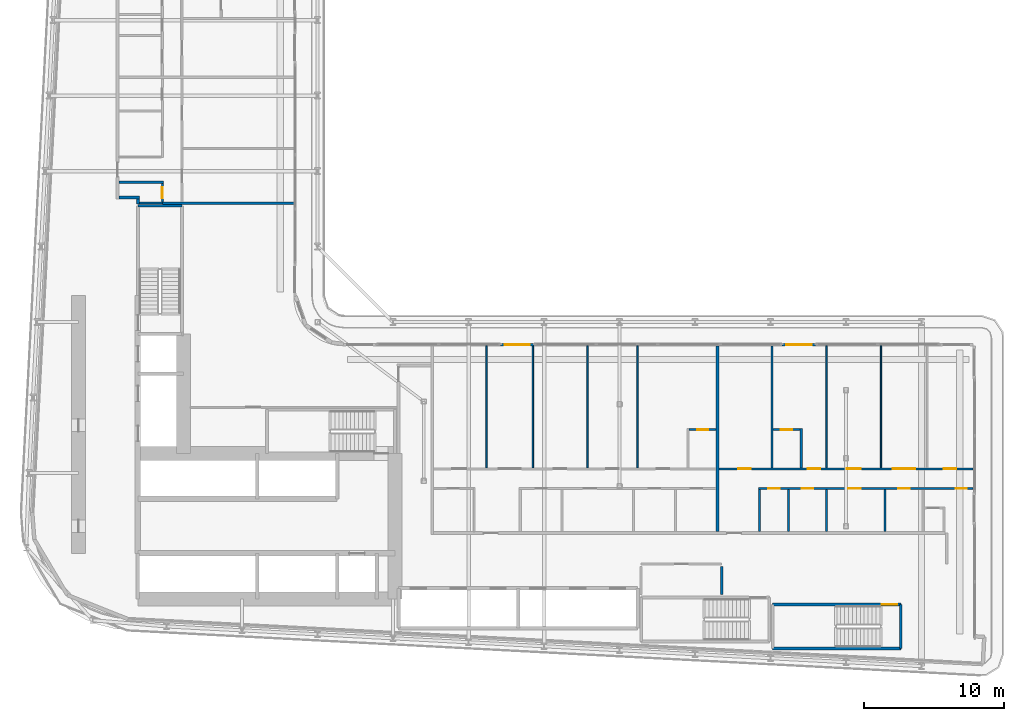
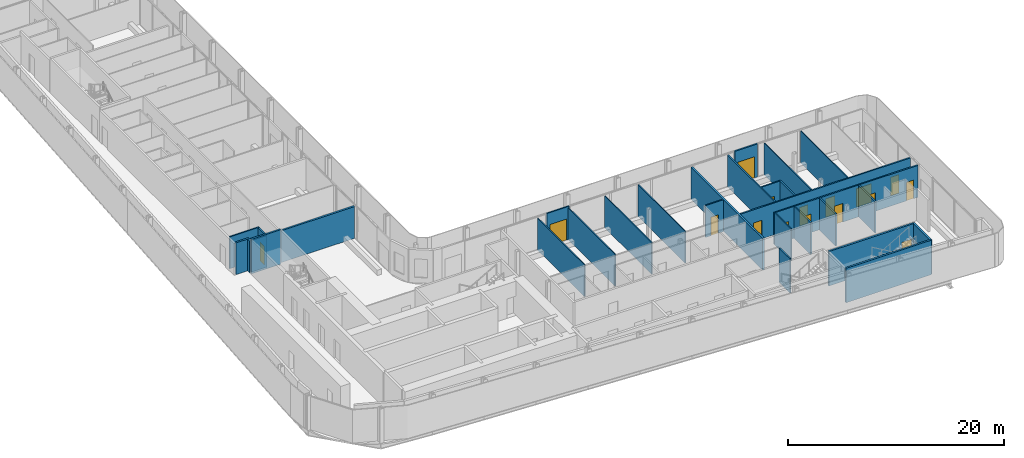
# One storey, part 15 of 27: 30 walls, 16 doors, 16 openings.
"""IFC4 building model written with IfcOpenShell, lengths in metres."""

import ifcopenshell
import ifcopenshell.guid

model = None  # the IFC model being written
_history = None  # IfcOwnerHistory: only IFC2X3 demands one
_inside = {}  # id of a spatial element -> (the spatial element, [elements in it])
_under = {}  # id of a project, library or spatial element -> (it, [spatial elements below it])
_declared = {}  # id of a project -> (the project, [libraries it declares])
_typed = {}  # id of a type object -> (the type object, [elements of that type])
_made_of = {}  # id of a material, layer set ... -> (it, [elements and type objects made of it])


def new_model(schema):
    """Start an empty IFC model of exactly this schema.

    Asked for "IFC4X3", IfcOpenShell would pick the latest addendum, in which some entities
    have other attributes; the version numbers below select the first issue.
    IFC2X3 requires an IfcOwnerHistory on every rooted entity: one is made here for all.
    """
    global model, _history
    if schema == "IFC4X3":
        model = ifcopenshell.file(schema_version=(4, 3, 0, 0))
    else:
        model = ifcopenshell.file(schema=schema)
    _inside.clear()
    _under.clear()
    _declared.clear()
    _typed.clear()
    _made_of.clear()
    _history = None
    if model.schema == "IFC2X3":
        org = make("IfcOrganization", Name="unknown")
        user = make(
            "IfcPersonAndOrganization",
            ThePerson=make("IfcPerson", FamilyName="unknown"),
            TheOrganization=org,
        )
        app = make(
            "IfcApplication",
            ApplicationDeveloper=org,
            Version="unknown",
            ApplicationFullName="unknown",
            ApplicationIdentifier="unknown",
        )
        _history = make(
            "IfcOwnerHistory",
            OwningUser=user,
            OwningApplication=app,
            ChangeAction="ADDED",
            CreationDate=0,
        )
    return model


def make(cls, **values):
    """One entity of the class cls with the attributes given. An attribute that is None is left unset."""
    return model.create_entity(
        cls, **{name: value for name, value in values.items() if value is not None}
    )


def rooted(cls, **values):
    """An entity with a GlobalId (a new one), such as an element, a storey or a relation."""
    return make(cls, GlobalId=ifcopenshell.guid.new(), OwnerHistory=_history, **values)


def si_unit(unit_type, name, prefix=None):
    """IfcSIUnit, for example si_unit("LENGTHUNIT", "METRE", prefix="MILLI")."""
    return make("IfcSIUnit", UnitType=unit_type, Prefix=prefix, Name=name)


def assignment(units):
    """IfcUnitAssignment: the units of a project."""
    return None if units is None else make("IfcUnitAssignment", Units=units)


def point(xyz):
    """IfcCartesianPoint."""
    return None if xyz is None else make("IfcCartesianPoint", Coordinates=xyz)


def direction(xyz):
    """IfcDirection."""
    return None if xyz is None else make("IfcDirection", DirectionRatios=xyz)


def frame(location, z_axis=None, x_axis=None):
    """IfcAxis2Placement3D, a coordinate frame: its origin and axes. An axis left out is left unset."""
    return make(
        "IfcAxis2Placement3D",
        Location=point(location),
        Axis=direction(z_axis),
        RefDirection=direction(x_axis),
    )


def frame_2d(location, x_axis=None):
    """IfcAxis2Placement2D, a coordinate frame in the plane: its origin and x axis."""
    return make(
        "IfcAxis2Placement2D", Location=point(location), RefDirection=direction(x_axis)
    )


def origin():
    """The frame at (0, 0, 0) with its axes left unset."""
    return frame((0.0, 0.0, 0.0))


def place(relative_to, where):
    """IfcLocalPlacement: puts the frame where relative to a parent placement (None: the world)."""
    return make(
        "IfcLocalPlacement", PlacementRelTo=relative_to, RelativePlacement=where
    )


def context(
    kind, dimensions, precision=None, world=None, true_north=None, identifier=None
):
    """IfcGeometricRepresentationContext, for example the 3D "Model" context."""
    return make(
        "IfcGeometricRepresentationContext",
        ContextIdentifier=identifier,
        ContextType=kind,
        CoordinateSpaceDimension=dimensions,
        Precision=precision,
        WorldCoordinateSystem=world,
        TrueNorth=true_north,
    )


def subcontext(parent, identifier, kind, view, scale=None):
    """IfcGeometricRepresentationSubContext, for example "Body" below "Model"."""
    return make(
        "IfcGeometricRepresentationSubContext",
        ContextIdentifier=identifier,
        ContextType=kind,
        ParentContext=parent,
        TargetScale=scale,
        TargetView=view,
    )


def project(units=None, contexts=None):
    """IfcProject with its units and contexts."""
    return rooted(
        "IfcProject",
        Name="project",
        RepresentationContexts=contexts,
        UnitsInContext=assignment(units),
    )


def spatial(cls, under=None, at=None, **own):
    """A site, building, storey or space (cls), placed at a placement, below another one or the project."""
    s = rooted(cls, ObjectPlacement=at, **own)
    if under is not None:
        _under.setdefault(under.id(), (under, []))[1].append(s)
    return s


def profile(cls, at=None, kind="AREA", **sizes):
    """A parametric profile (cls). Its sizes go by their IFC names, for example OverallWidth=200.0."""
    return make(cls, ProfileType=kind, Position=at, **sizes)


def rectangle(**sizes):
    """IfcRectangleProfileDef."""
    return profile("IfcRectangleProfileDef", **sizes)


def extrude(swept, where, along, depth):
    """IfcExtrudedAreaSolid: the profile swept, set in the frame where, extruded along a direction by depth."""
    return make(
        "IfcExtrudedAreaSolid",
        SweptArea=swept,
        Position=where,
        ExtrudedDirection=direction(along),
        Depth=depth,
    )


def shape(context_of_items, identifier, shape_type, items):
    """IfcShapeRepresentation: the items that make up one representation, for example the "Body"."""
    return make(
        "IfcShapeRepresentation",
        ContextOfItems=context_of_items,
        RepresentationIdentifier=identifier,
        RepresentationType=shape_type,
        Items=items,
    )


def source(mapping_origin, context_of_items, identifier, shape_type, items):
    """IfcRepresentationMap: a shape defined once, which mapped items show again and again."""
    return make(
        "IfcRepresentationMap",
        MappingOrigin=mapping_origin,
        MappedRepresentation=shape(context_of_items, identifier, shape_type, items),
    )


def transform(
    local_origin,
    x_axis=None,
    y_axis=None,
    z_axis=None,
    scale=None,
    scale2=None,
    scale3=None,
    uniform=True,
):
    """IfcCartesianTransformationOperator3D, or its non-uniform kind. x_axis, y_axis, z_axis: its Axis1, 2, 3."""
    if uniform:
        return make(
            "IfcCartesianTransformationOperator3D",
            Axis1=direction(x_axis),
            Axis2=direction(y_axis),
            LocalOrigin=point(local_origin),
            Scale=scale,
            Axis3=direction(z_axis),
        )
    return make(
        "IfcCartesianTransformationOperator3DnonUniform",
        Axis1=direction(x_axis),
        Axis2=direction(y_axis),
        LocalOrigin=point(local_origin),
        Scale=scale,
        Axis3=direction(z_axis),
        Scale2=scale2,
        Scale3=scale3,
    )


def mapped(mapping_source, mapping_target):
    """IfcMappedItem: shows the shape of a source again, moved by a transform."""
    return make(
        "IfcMappedItem", MappingSource=mapping_source, MappingTarget=mapping_target
    )


def material(Name=None, Category=None):
    """IfcMaterial."""
    return make("IfcMaterial", Name=Name, Category=Category)


def layer(
    of_material, thickness, ventilated=None, Name=None, Category=None, Priority=None
):
    """IfcMaterialLayer: one layer of a wall or slab, of a material (None: an air gap)."""
    return make(
        "IfcMaterialLayer",
        Material=of_material,
        LayerThickness=thickness,
        IsVentilated=ventilated,
        Name=Name,
        Category=Category,
        Priority=Priority,
    )


def layer_set(layers, Name=None):
    """IfcMaterialLayerSet."""
    return make("IfcMaterialLayerSet", MaterialLayers=layers, LayerSetName=Name)


def made_of(thing, what):
    """Note that an element or type object is made of a material, layer set ...; save() writes the relation."""
    if what is not None:
        _made_of.setdefault(what.id(), (what, []))[1].append(thing)
    return thing


def type_object(cls, material=None, **own):
    """A type object (cls), such as IfcWallType, which elements share."""
    return made_of(rooted(cls, **own), material)


def element(
    cls,
    number,
    at=None,
    inside=None,
    cuts=None,
    type_object=None,
    material=None,
    context=None,
    identifier="Body",
    shape_type=None,
    held_by="IfcProductDefinitionShape",
    body=None,
    shapes=None,
    **own,
):
    """One element of the class cls, such as IfcWall. Its Tag is "e" and its number.

    at: its placement. inside: the storey or other place that contains it. cuts: it is an
    opening in that element (IfcRelVoidsElement). A single representation is given by context,
    identifier, shape_type and body (its items); several are given by shapes. held_by: the class
    of the entity that holds the representations. save() writes the other relations.
    """
    e = rooted(cls, Tag="e%d" % number, ObjectPlacement=at, **own)
    if body is not None:
        shapes = [shape(context, identifier, shape_type, body)]
    if shapes is not None:
        e.Representation = make(held_by, Representations=shapes)
    if inside is not None:
        _inside.setdefault(inside.id(), (inside, []))[1].append(e)
    if cuts is not None:
        rooted(
            "IfcRelVoidsElement", RelatingBuildingElement=cuts, RelatedOpeningElement=e
        )
    if type_object is not None:
        _typed.setdefault(type_object.id(), (type_object, []))[1].append(e)
    return made_of(e, material)


def fill(opening, filler):
    """IfcRelFillsElement: the door or window that sits in an opening."""
    return rooted(
        "IfcRelFillsElement",
        RelatingOpeningElement=opening,
        RelatedBuildingElement=filler,
    )


def aggregate(whole, parts):
    """IfcRelAggregates: a whole, such as a stair, and the parts it consists of."""
    return rooted("IfcRelAggregates", RelatingObject=whole, RelatedObjects=parts)


def save(model, path):
    """Write the relations noted so far, then the file.

    IfcRelAggregates (storeys below a building ...), IfcRelContainedInSpatialStructure (elements
    in a storey), IfcRelDefinesByType, IfcRelAssociatesMaterial and IfcRelDeclares: one each for
    every whole, place, type object, material and project.
    """
    for whole, parts in _under.values():
        aggregate(whole, parts)
    for where, things in _inside.values():
        rooted(
            "IfcRelContainedInSpatialStructure",
            RelatedElements=things,
            RelatingStructure=where,
        )
    for kind, things in _typed.values():
        rooted("IfcRelDefinesByType", RelatedObjects=things, RelatingType=kind)
    for what, things in _made_of.values():
        rooted("IfcRelAssociatesMaterial", RelatedObjects=things, RelatingMaterial=what)
    for by, libraries in _declared.values():
        rooted("IfcRelDeclares", RelatingContext=by, RelatedDefinitions=libraries)
    model.write(path)


model = new_model("IFC4")

# Units and contexts
model_context = context("Model", 3, precision=1e-05, world=origin(), true_north=direction((0.0, 1.0)))
body_context = subcontext(model_context, "Body", "Model", "MODEL_VIEW")
ifc_project = project(units=[si_unit("LENGTHUNIT", "METRE"), si_unit("AREAUNIT", "SQUARE_METRE"), si_unit("VOLUMEUNIT", "CUBIC_METRE"), si_unit("PLANEANGLEUNIT", "RADIAN"), si_unit("MASSUNIT", "GRAM", prefix="KILO")], contexts=[model_context])

# Site, building, storey
site_placement = place(None, origin())
site = spatial("IfcSite", under=ifc_project, at=site_placement, CompositionType="ELEMENT")
building_placement = place(site_placement, origin())
building = spatial("IfcBuilding", under=site, at=building_placement, Name="Kheshtan School and Residences Tower", CompositionType="ELEMENT")
storey_placement = place(building_placement, frame((0.0, 0.0, 46.10009765625)))
storey = spatial("IfcBuildingStorey", under=building, at=storey_placement, Name="L10", CompositionType="ELEMENT", Elevation=46.10009765625)

# Walls
ifc_material_1 = material(Name="Gypsum board on steel studs with fire boards", Category="steel")
ifc_layer_1 = layer(ifc_material_1, 0.199951171875)
ifc_layer_set_1 = layer_set([ifc_layer_1], Name="Corridor wall 200")
wall_type_1 = type_object("IfcWallType", Name="Corridor wall 200", PredefinedType="PARTITIONING", material=ifc_layer_set_1)
wall_1_placement = place(storey_placement, frame((33.39990234375, 54.5, 0.0), z_axis=(0.0, 0.0, 1.0), x_axis=(1.0, 0.0, 0.0)))
element("IfcWall", 1, at=wall_1_placement, inside=storey, type_object=wall_type_1, Name="Partition L10-005", PredefinedType="PARTITIONING", context=body_context, shape_type="SweptSolid", body=[
    extrude(rectangle(XDim=1.4501953125, YDim=0.199951171875, at=frame_2d((0.72509765625, 0.0))), origin(), (0.0, 0.0, 1.0), 3.599853515625),
])
wall_2_placement = place(storey_placement, frame((34.75, 54.02490234375, 0.0), z_axis=(0.0, 0.0, 1.0), x_axis=(0.0, 1.0, 0.0)))
element("IfcWall", 2, at=wall_2_placement, inside=storey, type_object=wall_type_1, Name="Partition L10-020", PredefinedType="PARTITIONING", context=body_context, shape_type="SweptSolid", body=[
    extrude(rectangle(XDim=0.375, YDim=0.199951171875, at=frame_2d((0.1875, 0.0))), origin(), (0.0, 0.0, 1.0), 3.599853515625),
])

# Wall, opening, door
ifc_material_2 = material(Name="Aluminium frame wall with insulated infill", Category="aluminium")
ifc_layer_2 = layer(ifc_material_2, 0.14990234375)
ifc_layer_set_2 = layer_set([ifc_layer_2], Name="Glazing frame wall 150")
wall_type_2 = type_object("IfcWallType", Name="Glazing frame wall 150", PredefinedType="SOLIDWALL", material=ifc_layer_set_2)
wall_3_placement = place(storey_placement, frame((60.697021484375, 43.97509765625, 0.0), z_axis=(0.0, 0.0, 1.0), x_axis=(1.0, 0.0, 0.0)))
wall_3 = element("IfcWall", 3, at=wall_3_placement, inside=storey, type_object=wall_type_2, Name="Balcony door wall L10 12.2", PredefinedType="SOLIDWALL", context=body_context, shape_type="SweptSolid", body=[
    extrude(rectangle(XDim=2.39990234375, YDim=0.14990234375, at=frame_2d((1.199951171875, 0.0))), origin(), (0.0, 0.0, 1.0), 3.75),
])
opening_1_placement = place(wall_3_placement, frame((0.300048828125, 0.0, 0.0)))
opening_1 = element("IfcOpeningElement", 4, at=opening_1_placement, cuts=wall_3, Name="Opening BD", PredefinedType="OPENING", context=body_context, shape_type="SweptSolid", body=[
    extrude(rectangle(XDim=1.800048828125, YDim=2.39990234375, at=frame_2d((0.89990234375, 1.199951171875))), frame((0.0, 0.0849609375, 0.0), z_axis=(0.0, -1.0, 0.0), x_axis=(1.0, 0.0, 0.0)), (0.0, 0.0, 1.0), 0.169921875),
])
ifc_material_3 = material(Name="Clear low-e glass in thermally broken aluminium frame", Category="aluminium")
door_type_1 = type_object("IfcDoorType", Name="Balcony sliding door", OperationType="SLIDING_TO_LEFT", PredefinedType="DOOR", material=ifc_material_3)
shared_shape_1 = source(origin(), body_context, "Body", "SweptSolid", [
    extrude(rectangle(XDim=1.800048828125, YDim=2.39990234375, at=frame_2d((0.89990234375, 1.199951171875))), frame((0.0, 0.02490234375, 0.0), z_axis=(0.0, -1.0, 0.0), x_axis=(1.0, 0.0, 0.0)), (0.0, 0.0, 1.0), 0.050048828125),
])
door_1_placement = place(opening_1_placement, origin())
door_1 = element("IfcDoor", 5, at=door_1_placement, inside=storey, type_object=door_type_1, Name="Balcony door L10 12.2", OperationType="SLIDING_TO_LEFT", OverallHeight=2.39990234375, OverallWidth=1.800048828125, PredefinedType="DOOR", context=body_context, shape_type="MappedRepresentation", body=[
    mapped(shared_shape_1, transform((0.0, 0.0, 0.0), x_axis=(1.0, 0.0, 0.0), y_axis=(0.0, 1.0, 0.0), z_axis=(0.0, 0.0, 1.0), scale=1.0)),
])
fill(opening_1, door_1)

wall_4_placement = place(storey_placement, frame((80.83203125, 43.97509765625, 0.0), z_axis=(0.0, 0.0, 1.0), x_axis=(1.0, 0.0, 0.0)))
wall_4 = element("IfcWall", 6, at=wall_4_placement, inside=storey, type_object=wall_type_2, Name="Balcony door wall L10 12.3", PredefinedType="SOLIDWALL", context=body_context, shape_type="SweptSolid", body=[
    extrude(rectangle(XDim=2.40087890625, YDim=0.14990234375, at=frame_2d((1.200439453125, 0.0))), origin(), (0.0, 0.0, 1.0), 3.75),
])
opening_2_placement = place(wall_4_placement, frame((0.300048828125, 0.0, 0.0)))
opening_2 = element("IfcOpeningElement", 7, at=opening_2_placement, cuts=wall_4, Name="Opening BD", PredefinedType="OPENING", context=body_context, shape_type="SweptSolid", body=[
    extrude(rectangle(XDim=1.800048828125, YDim=2.39990234375, at=frame_2d((0.89990234375, 1.199951171875))), frame((0.0, 0.0849609375, 0.0), z_axis=(0.0, -1.0, 0.0), x_axis=(1.0, 0.0, 0.0)), (0.0, 0.0, 1.0), 0.169921875),
])
door_2_placement = place(opening_2_placement, origin())
door_2 = element("IfcDoor", 8, at=door_2_placement, inside=storey, type_object=door_type_1, Name="Balcony door L10 12.3", OperationType="SLIDING_TO_LEFT", OverallHeight=2.39990234375, OverallWidth=1.800048828125, PredefinedType="DOOR", context=body_context, shape_type="MappedRepresentation", body=[
    mapped(shared_shape_1, transform((0.0, 0.0, 0.0), x_axis=(1.0, 0.0, 0.0), y_axis=(0.0, 1.0, 0.0), z_axis=(0.0, 0.0, 1.0), scale=1.0)),
])
fill(opening_2, door_2)

# Walls
ifc_material_4 = material(Name="Gypsum board on steel studs", Category="steel")
ifc_layer_3 = layer(ifc_material_4, 0.10009765625)
ifc_layer_set_3 = layer_set([ifc_layer_3], Name="Gypsum partition 100")
wall_type_3 = type_object("IfcWallType", Name="Gypsum partition 100", PredefinedType="PARTITIONING", material=ifc_layer_set_3)
for number, where, z_axis, x_axis, name in (
    (9, (59.699951171875, 35.175048828125, 0.0), (0.0, 0.0, 1.0), (0.0, 1.0, 0.0), "Partition L10-052"),
    (10, (63.0, 35.175048828125, 0.0), (0.0, 0.0, 1.0), (0.0, 1.0, 0.0), "Partition L10-055"),
    (11, (66.89990234375, 35.175048828125, 0.0), (0.0, 0.0, 1.0), (0.0, 1.0, 0.0), "Partition L10-057"),
    (12, (70.5, 35.175048828125, 0.0), (0.0, 0.0, 1.0), (0.0, 1.0, 0.0), "Partition L10-059"),
    (13, (84.0, 35.175048828125, 0.0), (0.0, 0.0, 1.0), (0.0, 1.0, 0.0), "Partition L10-072"),
    (14, (87.89990234375, 35.175048828125, 0.0), (0.0, 0.0, 1.0), (0.0, 1.0, 0.0), "Partition L10-073"),
):
    element("IfcWall", number, at=place(storey_placement, frame(where, z_axis=z_axis, x_axis=x_axis)), inside=storey, type_object=wall_type_3, Name=name, PredefinedType="PARTITIONING", context=body_context, shape_type="SweptSolid", body=[
        extrude(rectangle(XDim=8.724853515625, YDim=0.10009765625, at=frame_2d((4.3623046875, 0.0))), origin(), (0.0, 0.0, 1.0), 3.599853515625),
    ])
ifc_material_5 = material(Name="Fire-board shaft wall system")
ifc_layer_4 = layer(ifc_material_5, 0.14990234375)
ifc_layer_set_4 = layer_set([ifc_layer_4], Name="Service room wall 150")
wall_type_4 = type_object("IfcWallType", Name="Service room wall 150", PredefinedType="PARTITIONING", material=ifc_layer_set_4)
wall_5_placement = place(storey_placement, frame((76.510009765625, 26.1201171875, 0.0), z_axis=(0.0, 0.0, 1.0), x_axis=(0.0, 1.0, 0.0)))
element("IfcWall", 15, at=wall_5_placement, inside=storey, type_object=wall_type_4, Name="Service room wall", PredefinedType="PARTITIONING", context=body_context, shape_type="SweptSolid", body=[
    extrude(rectangle(XDim=1.98486328125, YDim=0.14990234375, at=frame_2d((0.992431640625, 0.0))), origin(), (0.0, 0.0, 1.0), 3.89990234375),
])
ifc_material_6 = material(Name="Concrete C40/50", Category="concrete")
ifc_layer_5 = layer(ifc_material_6, 0.199951171875)
ifc_layer_set_5 = layer_set([ifc_layer_5], Name="Stair enclosure wall 200 Concrete C40/50")
wall_type_5 = type_object("IfcWallType", Name="Stair enclosure wall 200 Concrete C40/50", PredefinedType="SHEAR", material=ifc_layer_set_5)
wall_6_placement = place(storey_placement, frame((34.75, 53.909912109375, 0.0), z_axis=(0.0, 0.0, 1.0), x_axis=(1.0, 0.0, 0.0)))
element("IfcWall", 16, at=wall_6_placement, inside=storey, type_object=wall_type_5, Name="Stair enclosure wall ST2", PredefinedType="SHEAR", context=body_context, shape_type="SweptSolid", body=[
    extrude(rectangle(XDim=3.14990234375, YDim=0.199951171875, at=frame_2d((1.574951171875, 0.0))), origin(), (0.0, 0.0, 1.0), 3.89990234375),
])
wall_7_placement = place(storey_placement, frame((80.159912109375, 22.25, 0.0), z_axis=(0.0, 0.0, 1.0), x_axis=(1.0, 0.0, 0.0)))
element("IfcWall", 17, at=wall_7_placement, inside=storey, type_object=wall_type_5, Name="Stair enclosure wall ST4", PredefinedType="SHEAR", context=body_context, shape_type="SweptSolid", body=[
    extrude(rectangle(XDim=9.16015625, YDim=0.199951171875, at=frame_2d((4.580078125, 0.0))), origin(), (0.0, 0.0, 1.0), 3.89990234375),
])

# Wall, opening, door
wall_8_placement = place(storey_placement, frame((80.159912109375, 25.39990234375, 0.0), z_axis=(0.0, 0.0, 1.0), x_axis=(1.0, 0.0, 0.0)))
wall_8 = element("IfcWall", 18, at=wall_8_placement, inside=storey, type_object=wall_type_5, Name="Stair enclosure wall ST4", PredefinedType="SHEAR", context=body_context, shape_type="SweptSolid", body=[
    extrude(rectangle(XDim=9.16015625, YDim=0.199951171875, at=frame_2d((4.580078125, 0.0))), origin(), (0.0, 0.0, 1.0), 3.89990234375),
])
opening_3_placement = place(wall_8_placement, frame((7.81005859375, 0.0, 0.0)))
opening_3 = element("IfcOpeningElement", 19, at=opening_3_placement, cuts=wall_8, Name="Opening ST4D", PredefinedType="OPENING", context=body_context, shape_type="SweptSolid", body=[
    extrude(rectangle(XDim=1.10009765625, YDim=2.199951171875, at=frame_2d((0.550048828125, 1.10009765625))), frame((0.0, 0.10986328125, 0.0), z_axis=(0.0, -1.0, 0.0), x_axis=(1.0, 0.0, 0.0)), (0.0, 0.0, 1.0), 0.219970703125),
])
ifc_material_7 = material(Name="Steel door leaf, galvanised", Category="steel")
door_type_2 = type_object("IfcDoorType", Name="Stair door 1100 steel 90 min", OperationType="SINGLE_SWING_LEFT", PredefinedType="DOOR", material=ifc_material_7)
shared_shape_2 = source(origin(), body_context, "Body", "SweptSolid", [
    extrude(rectangle(XDim=1.10009765625, YDim=2.199951171875, at=frame_2d((0.550048828125, 1.10009765625))), frame((0.0, 0.02490234375, 0.0), z_axis=(0.0, -1.0, 0.0), x_axis=(1.0, 0.0, 0.0)), (0.0, 0.0, 1.0), 0.050048828125),
])
door_3_placement = place(opening_3_placement, origin())
door_3 = element("IfcDoor", 20, at=door_3_placement, inside=storey, type_object=door_type_2, Name="Stair ST4 door", OperationType="SINGLE_SWING_LEFT", OverallHeight=2.199951171875, OverallWidth=1.10009765625, PredefinedType="DOOR", context=body_context, shape_type="MappedRepresentation", body=[
    mapped(shared_shape_2, transform((0.0, 0.0, 0.0), x_axis=(1.0, 0.0, 0.0), y_axis=(0.0, 1.0, 0.0), z_axis=(0.0, 0.0, 1.0), scale=1.0)),
])
fill(opening_3, door_3)

# Walls
wall_9_placement = place(storey_placement, frame((89.320068359375, 22.25, 0.0), z_axis=(0.0, 0.0, 1.0), x_axis=(0.0, 1.0, 0.0)))
element("IfcWall", 21, at=wall_9_placement, inside=storey, type_object=wall_type_5, Name="Stair enclosure wall ST4", PredefinedType="SHEAR", context=body_context, shape_type="SweptSolid", body=[
    extrude(rectangle(XDim=3.14990234375, YDim=0.199951171875, at=frame_2d((1.574951171875, 0.0))), origin(), (0.0, 0.0, 1.0), 3.89990234375),
])
ifc_material_8 = material(Name="Twin gypsum board on steel studs with mineral wool", Category="steel")
ifc_layer_6 = layer(ifc_material_8, 0.199951171875)
ifc_layer_set_6 = layer_set([ifc_layer_6], Name="Unit demising wall 200")
wall_type_6 = type_object("IfcWallType", Name="Unit demising wall 200", PredefinedType="PARTITIONING", material=ifc_layer_set_6)
wall_10_placement = place(storey_placement, frame((36.5, 54.10009765625, 0.0), z_axis=(0.0, 0.0, 1.0), x_axis=(1.0, 0.0, 0.0)))
element("IfcWall", 22, at=wall_10_placement, inside=storey, type_object=wall_type_6, Name="Partition L10-024", PredefinedType="PARTITIONING", context=body_context, shape_type="SweptSolid", body=[
    extrude(rectangle(XDim=9.39990234375, YDim=0.199951171875, at=frame_2d((4.699951171875, 0.0))), origin(), (0.0, 0.0, 1.0), 3.599853515625),
])
wall_11_placement = place(storey_placement, frame((76.199951171875, 30.60009765625, 0.0), z_axis=(0.0, 0.0, 1.0), x_axis=(0.0, 1.0, 0.0)))
element("IfcWall", 23, at=wall_11_placement, inside=storey, type_object=wall_type_6, Name="Partition L10-063", PredefinedType="PARTITIONING", context=body_context, shape_type="SweptSolid", body=[
    extrude(rectangle(XDim=13.2998046875, YDim=0.199951171875, at=frame_2d((6.64990234375, 0.0))), origin(), (0.0, 0.0, 1.0), 3.599853515625),
])
ifc_material_9 = material(Name="Moisture-resistant gypsum board on steel studs", Category="steel")
ifc_layer_7 = layer(ifc_material_9, 0.14990234375)
ifc_layer_set_7 = layer_set([ifc_layer_7], Name="Wet-room partition 150")
wall_type_7 = type_object("IfcWallType", Name="Wet-room partition 150", PredefinedType="PARTITIONING", material=ifc_layer_set_7)
wall_12_placement = place(storey_placement, frame((33.39990234375, 55.60009765625, 0.0), z_axis=(0.0, 0.0, 1.0), x_axis=(1.0, 0.0, 0.0)))
element("IfcWall", 24, at=wall_12_placement, inside=storey, type_object=wall_type_7, Name="Partition L10-006", PredefinedType="PARTITIONING", context=body_context, shape_type="SweptSolid", body=[
    extrude(rectangle(XDim=3.175048828125, YDim=0.14990234375, at=frame_2d((1.58740234375, 0.0))), origin(), (0.0, 0.0, 1.0), 3.599853515625),
])
wall_13_placement = place(storey_placement, frame((34.85009765625, 54.10009765625, 0.0), z_axis=(0.0, 0.0, 1.0), x_axis=(1.0, 0.0, 0.0)))
element("IfcWall", 25, at=wall_13_placement, inside=storey, type_object=wall_type_7, Name="Partition L10-021", PredefinedType="PARTITIONING", context=body_context, shape_type="SweptSolid", body=[
    extrude(rectangle(XDim=1.64990234375, YDim=0.14990234375, at=frame_2d((0.824951171875, 0.0))), origin(), (0.0, 0.0, 1.0), 3.599853515625),
])

# Wall, opening, door
wall_14_placement = place(storey_placement, frame((36.5, 54.199951171875, 0.0), z_axis=(0.0, 0.0, 1.0), x_axis=(0.0, 1.0, 0.0)))
wall_14 = element("IfcWall", 26, at=wall_14_placement, inside=storey, type_object=wall_type_7, Name="Partition L10-025", PredefinedType="PARTITIONING", context=body_context, shape_type="SweptSolid", body=[
    extrude(rectangle(XDim=1.324951171875, YDim=0.14990234375, at=frame_2d((0.66259765625, 0.0))), origin(), (0.0, 0.0, 1.0), 3.599853515625),
])
opening_4_placement = place(wall_14_placement, frame((0.25, 0.0, 0.0)))
opening_4 = element("IfcOpeningElement", 27, at=opening_4_placement, cuts=wall_14, Name="Opening D10-031", PredefinedType="OPENING", context=body_context, shape_type="SweptSolid", body=[
    extrude(rectangle(XDim=0.800048828125, YDim=2.10009765625, at=frame_2d((0.39990234375, 1.050048828125))), frame((0.0, 0.0849609375, 0.0), z_axis=(0.0, -1.0, 0.0), x_axis=(1.0, 0.0, 0.0)), (0.0, 0.0, 1.0), 0.169921875),
])
ifc_material_10 = material(Name="Veneered timber door leaf", Category="wood")
door_type_3 = type_object("IfcDoorType", Name="Door 800 x 2100", OperationType="SINGLE_SWING_LEFT", PredefinedType="DOOR", material=ifc_material_10)
shared_shape_3 = source(origin(), body_context, "Body", "SweptSolid", [
    extrude(rectangle(XDim=0.800048828125, YDim=2.10009765625, at=frame_2d((0.39990234375, 1.050048828125))), frame((0.0, 0.02490234375, 0.0), z_axis=(0.0, -1.0, 0.0), x_axis=(1.0, 0.0, 0.0)), (0.0, 0.0, 1.0), 0.050048828125),
])
door_4_placement = place(opening_4_placement, origin())
door_4 = element("IfcDoor", 28, at=door_4_placement, inside=storey, type_object=door_type_3, Name="Door D10-031", OperationType="SINGLE_SWING_RIGHT", OverallHeight=2.10009765625, OverallWidth=0.800048828125, PredefinedType="DOOR", context=body_context, shape_type="MappedRepresentation", body=[
    mapped(shared_shape_3, transform((0.0, 0.0, 0.0), x_axis=(1.0, 0.0, 0.0), y_axis=(0.0, 1.0, 0.0), z_axis=(0.0, 0.0, 1.0), scale=1.0)),
])
fill(opening_4, door_4)

wall_15_placement = place(storey_placement, frame((74.175048828125, 37.89990234375, 0.0), z_axis=(0.0, 0.0, 1.0), x_axis=(1.0, 0.0, 0.0)))
wall_15 = element("IfcWall", 29, at=wall_15_placement, inside=storey, type_object=wall_type_7, Name="Partition L10-062", PredefinedType="PARTITIONING", context=body_context, shape_type="SweptSolid", body=[
    extrude(rectangle(XDim=1.925048828125, YDim=0.14990234375, at=frame_2d((0.96240234375, 0.0))), origin(), (0.0, 0.0, 1.0), 3.599853515625),
])
opening_5_placement = place(wall_15_placement, frame((0.574951171875, 0.0, 0.0)))
opening_5 = element("IfcOpeningElement", 30, at=opening_5_placement, cuts=wall_15, Name="Opening D10-006", PredefinedType="OPENING", context=body_context, shape_type="SweptSolid", body=[
    extrude(rectangle(XDim=0.800048828125, YDim=2.10009765625, at=frame_2d((0.39990234375, 1.050048828125))), frame((0.0, 0.0849609375, 0.0), z_axis=(0.0, -1.0, 0.0), x_axis=(1.0, 0.0, 0.0)), (0.0, 0.0, 1.0), 0.169921875),
])
door_5_placement = place(opening_5_placement, origin())
door_5 = element("IfcDoor", 31, at=door_5_placement, inside=storey, type_object=door_type_3, Name="Door D10-006", OperationType="SINGLE_SWING_LEFT", OverallHeight=2.10009765625, OverallWidth=0.800048828125, PredefinedType="DOOR", context=body_context, shape_type="MappedRepresentation", body=[
    mapped(shared_shape_3, transform((0.0, 0.0, 0.0), x_axis=(1.0, 0.0, 0.0), y_axis=(0.0, 1.0, 0.0), z_axis=(0.0, 0.0, 1.0), scale=1.0)),
])
fill(opening_5, door_5)

# Wall, openings, doors
wall_16_placement = place(storey_placement, frame((76.300048828125, 35.10009765625, 0.0), z_axis=(0.0, 0.0, 1.0), x_axis=(1.0, 0.0, 0.0)))
wall_16 = element("IfcWall", 32, at=wall_16_placement, inside=storey, type_object=wall_type_7, Name="Partition L10-064", PredefinedType="PARTITIONING", context=body_context, shape_type="SweptSolid", body=[
    extrude(rectangle(XDim=18.199951171875, YDim=0.14990234375, at=frame_2d((9.10009765625, 0.0))), origin(), (0.0, 0.0, 1.0), 3.599853515625),
])
opening_6_placement = place(wall_16_placement, frame((1.39990234375, 0.0, 0.0)))
opening_6 = element("IfcOpeningElement", 33, at=opening_6_placement, cuts=wall_16, Name="Opening D10-015", PredefinedType="OPENING", context=body_context, shape_type="SweptSolid", body=[
    extrude(rectangle(XDim=0.89990234375, YDim=2.10009765625, at=frame_2d((0.449951171875, 1.050048828125))), frame((0.0, 0.0849609375, 0.0), z_axis=(0.0, -1.0, 0.0), x_axis=(1.0, 0.0, 0.0)), (0.0, 0.0, 1.0), 0.169921875),
])
opening_7_placement = place(wall_16_placement, frame((16.10009765625, 0.0, 0.0)))
opening_7 = element("IfcOpeningElement", 34, at=opening_7_placement, cuts=wall_16, Name="Opening D10-016", PredefinedType="OPENING", context=body_context, shape_type="SweptSolid", body=[
    extrude(rectangle(XDim=0.89990234375, YDim=2.10009765625, at=frame_2d((0.449951171875, 1.050048828125))), frame((0.0, 0.0849609375, 0.0), z_axis=(0.0, -1.0, 0.0), x_axis=(1.0, 0.0, 0.0)), (0.0, 0.0, 1.0), 0.169921875),
])
opening_8_placement = place(wall_16_placement, frame((9.14990234375, 0.0, 0.0)))
opening_8 = element("IfcOpeningElement", 35, at=opening_8_placement, cuts=wall_16, Name="Opening D10-020", PredefinedType="OPENING", context=body_context, shape_type="SweptSolid", body=[
    extrude(rectangle(XDim=1.0, YDim=2.10009765625, at=frame_2d((0.5, 1.050048828125))), frame((0.0, 0.0849609375, 0.0), z_axis=(0.0, -1.0, 0.0), x_axis=(1.0, 0.0, 0.0)), (0.0, 0.0, 1.0), 0.169921875),
])
opening_9_placement = place(wall_16_placement, frame((12.449951171875, 0.0, 0.0)))
opening_9 = element("IfcOpeningElement", 36, at=opening_9_placement, cuts=wall_16, Name="Opening D10-023", PredefinedType="OPENING", context=body_context, shape_type="SweptSolid", body=[
    extrude(rectangle(XDim=1.60009765625, YDim=2.10009765625, at=frame_2d((0.800048828125, 1.050048828125))), frame((0.0, 0.0849609375, 0.0), z_axis=(0.0, -1.0, 0.0), x_axis=(1.0, 0.0, 0.0)), (0.0, 0.0, 1.0), 0.169921875),
])
opening_10_placement = place(wall_16_placement, frame((6.35009765625, 0.0, 0.0)))
opening_10 = element("IfcOpeningElement", 37, at=opening_10_placement, cuts=wall_16, Name="Opening D10-024", PredefinedType="OPENING", context=body_context, shape_type="SweptSolid", body=[
    extrude(rectangle(XDim=0.89990234375, YDim=2.10009765625, at=frame_2d((0.449951171875, 1.050048828125))), frame((0.0, 0.0849609375, 0.0), z_axis=(0.0, -1.0, 0.0), x_axis=(1.0, 0.0, 0.0)), (0.0, 0.0, 1.0), 0.169921875),
])
door_type_4 = type_object("IfcDoorType", Name="Door 1000 x 2100", OperationType="SINGLE_SWING_LEFT", PredefinedType="DOOR", material=ifc_material_10)
shared_shape_4 = source(origin(), body_context, "Body", "SweptSolid", [
    extrude(rectangle(XDim=1.0, YDim=2.10009765625, at=frame_2d((0.5, 1.050048828125))), frame((0.0, 0.02490234375, 0.0), z_axis=(0.0, -1.0, 0.0), x_axis=(1.0, 0.0, 0.0)), (0.0, 0.0, 1.0), 0.050048828125),
])
door_6_placement = place(opening_8_placement, origin())
door_6 = element("IfcDoor", 38, at=door_6_placement, inside=storey, type_object=door_type_4, Name="Door D10-020", OperationType="SINGLE_SWING_LEFT", OverallHeight=2.10009765625, OverallWidth=1.0, PredefinedType="DOOR", context=body_context, shape_type="MappedRepresentation", body=[
    mapped(shared_shape_4, transform((0.0, 0.0, 0.0), x_axis=(1.0, 0.0, 0.0), y_axis=(0.0, 1.0, 0.0), z_axis=(0.0, 0.0, 1.0), scale=1.0)),
])
fill(opening_8, door_6)
door_type_5 = type_object("IfcDoorType", Name="Door 900 x 2100", OperationType="SINGLE_SWING_LEFT", PredefinedType="DOOR", material=ifc_material_10)
shared_shape_5 = source(origin(), body_context, "Body", "SweptSolid", [
    extrude(rectangle(XDim=0.89990234375, YDim=2.10009765625, at=frame_2d((0.449951171875, 1.050048828125))), frame((0.0, 0.02490234375, 0.0), z_axis=(0.0, -1.0, 0.0), x_axis=(1.0, 0.0, 0.0)), (0.0, 0.0, 1.0), 0.050048828125),
])
door_7_placement = place(opening_6_placement, origin())
door_7 = element("IfcDoor", 39, at=door_7_placement, inside=storey, type_object=door_type_5, Name="Door D10-015", OperationType="SINGLE_SWING_RIGHT", OverallHeight=2.10009765625, OverallWidth=0.89990234375, PredefinedType="DOOR", context=body_context, shape_type="MappedRepresentation", body=[
    mapped(shared_shape_5, transform((0.0, 0.0, 0.0), x_axis=(1.0, 0.0, 0.0), y_axis=(0.0, 1.0, 0.0), z_axis=(0.0, 0.0, 1.0), scale=1.0)),
])
fill(opening_6, door_7)
door_8_placement = place(opening_7_placement, origin())
door_8 = element("IfcDoor", 40, at=door_8_placement, inside=storey, type_object=door_type_5, Name="Door D10-016", OperationType="SINGLE_SWING_LEFT", OverallHeight=2.10009765625, OverallWidth=0.89990234375, PredefinedType="DOOR", context=body_context, shape_type="MappedRepresentation", body=[
    mapped(shared_shape_5, transform((0.0, 0.0, 0.0), x_axis=(1.0, 0.0, 0.0), y_axis=(0.0, 1.0, 0.0), z_axis=(0.0, 0.0, 1.0), scale=1.0)),
])
fill(opening_7, door_8)
door_9_placement = place(opening_10_placement, origin())
door_9 = element("IfcDoor", 41, at=door_9_placement, inside=storey, type_object=door_type_5, Name="Door D10-024", OperationType="SINGLE_SWING_RIGHT", OverallHeight=2.10009765625, OverallWidth=0.89990234375, PredefinedType="DOOR", context=body_context, shape_type="MappedRepresentation", body=[
    mapped(shared_shape_5, transform((0.0, 0.0, 0.0), x_axis=(1.0, 0.0, 0.0), y_axis=(0.0, 1.0, 0.0), z_axis=(0.0, 0.0, 1.0), scale=1.0)),
])
fill(opening_10, door_9)
door_type_6 = type_object("IfcDoorType", Name="Double door 1600 x 2100", OperationType="DOUBLE_DOOR_SINGLE_SWING", PredefinedType="DOOR", material=ifc_material_10)
shared_shape_6 = source(origin(), body_context, "Body", "SweptSolid", [
    extrude(rectangle(XDim=1.60009765625, YDim=2.10009765625, at=frame_2d((0.800048828125, 1.050048828125))), frame((0.0, 0.02490234375, 0.0), z_axis=(0.0, -1.0, 0.0), x_axis=(1.0, 0.0, 0.0)), (0.0, 0.0, 1.0), 0.050048828125),
])
door_10_placement = place(opening_9_placement, origin())
door_10 = element("IfcDoor", 42, at=door_10_placement, inside=storey, type_object=door_type_6, Name="Door D10-023", OperationType="DOUBLE_DOOR_SINGLE_SWING", OverallHeight=2.10009765625, OverallWidth=1.60009765625, PredefinedType="DOOR", context=body_context, shape_type="MappedRepresentation", body=[
    mapped(shared_shape_6, transform((0.0, 0.0, 0.0), x_axis=(1.0, 0.0, 0.0), y_axis=(0.0, 1.0, 0.0), z_axis=(0.0, 0.0, 1.0), scale=1.0)),
])
fill(opening_9, door_10)

wall_17_placement = place(storey_placement, frame((79.125, 33.699951171875, 0.0), z_axis=(0.0, 0.0, 1.0), x_axis=(1.0, 0.0, 0.0)))
wall_17 = element("IfcWall", 43, at=wall_17_placement, inside=storey, type_object=wall_type_7, Name="Partition L10-065", PredefinedType="PARTITIONING", context=body_context, shape_type="SweptSolid", body=[
    extrude(rectangle(XDim=15.375, YDim=0.14990234375, at=frame_2d((7.6875, 0.0))), origin(), (0.0, 0.0, 1.0), 3.599853515625),
])
opening_11_placement = place(wall_17_placement, frame((3.125, 0.0, 0.0)))
opening_11 = element("IfcOpeningElement", 44, at=opening_11_placement, cuts=wall_17, Name="Opening D10-013", PredefinedType="OPENING", context=body_context, shape_type="SweptSolid", body=[
    extrude(rectangle(XDim=0.800048828125, YDim=2.10009765625, at=frame_2d((0.39990234375, 1.050048828125))), frame((0.0, 0.0849609375, 0.0), z_axis=(0.0, -1.0, 0.0), x_axis=(1.0, 0.0, 0.0)), (0.0, 0.0, 1.0), 0.169921875),
])
opening_12_placement = place(wall_17_placement, frame((10.02490234375, 0.0, 0.0)))
opening_12 = element("IfcOpeningElement", 45, at=opening_12_placement, cuts=wall_17, Name="Opening D10-014", PredefinedType="OPENING", context=body_context, shape_type="SweptSolid", body=[
    extrude(rectangle(XDim=0.800048828125, YDim=2.10009765625, at=frame_2d((0.39990234375, 1.050048828125))), frame((0.0, 0.0849609375, 0.0), z_axis=(0.0, -1.0, 0.0), x_axis=(1.0, 0.0, 0.0)), (0.0, 0.0, 1.0), 0.169921875),
])
opening_13_placement = place(wall_17_placement, frame((6.425048828125, 0.0, 0.0)))
opening_13 = element("IfcOpeningElement", 46, at=opening_13_placement, cuts=wall_17, Name="Opening D10-019", PredefinedType="OPENING", context=body_context, shape_type="SweptSolid", body=[
    extrude(rectangle(XDim=0.89990234375, YDim=2.10009765625, at=frame_2d((0.449951171875, 1.050048828125))), frame((0.0, 0.0849609375, 0.0), z_axis=(0.0, -1.0, 0.0), x_axis=(1.0, 0.0, 0.0)), (0.0, 0.0, 1.0), 0.169921875),
])
opening_14_placement = place(wall_17_placement, frame((14.125, 0.0, 0.0)))
opening_14 = element("IfcOpeningElement", 47, at=opening_14_placement, cuts=wall_17, Name="Opening D10-021", PredefinedType="OPENING", context=body_context, shape_type="SweptSolid", body=[
    extrude(rectangle(XDim=0.800048828125, YDim=2.10009765625, at=frame_2d((0.39990234375, 1.050048828125))), frame((0.0, 0.0849609375, 0.0), z_axis=(0.0, -1.0, 0.0), x_axis=(1.0, 0.0, 0.0)), (0.0, 0.0, 1.0), 0.169921875),
])
opening_15_placement = place(wall_17_placement, frame((0.72509765625, 0.0, 0.0)))
opening_15 = element("IfcOpeningElement", 48, at=opening_15_placement, cuts=wall_17, Name="Opening D10-025", PredefinedType="OPENING", context=body_context, shape_type="SweptSolid", body=[
    extrude(rectangle(XDim=0.800048828125, YDim=2.10009765625, at=frame_2d((0.39990234375, 1.050048828125))), frame((0.0, 0.0849609375, 0.0), z_axis=(0.0, -1.0, 0.0), x_axis=(1.0, 0.0, 0.0)), (0.0, 0.0, 1.0), 0.169921875),
])
door_11_placement = place(opening_11_placement, origin())
door_11 = element("IfcDoor", 49, at=door_11_placement, inside=storey, type_object=door_type_3, Name="Door D10-013", OperationType="SINGLE_SWING_RIGHT", OverallHeight=2.10009765625, OverallWidth=0.800048828125, PredefinedType="DOOR", context=body_context, shape_type="MappedRepresentation", body=[
    mapped(shared_shape_3, transform((0.0, 0.0, 0.0), x_axis=(1.0, 0.0, 0.0), y_axis=(0.0, 1.0, 0.0), z_axis=(0.0, 0.0, 1.0), scale=1.0)),
])
fill(opening_11, door_11)
door_12_placement = place(opening_12_placement, origin())
door_12 = element("IfcDoor", 50, at=door_12_placement, inside=storey, type_object=door_type_3, Name="Door D10-014", OperationType="SINGLE_SWING_LEFT", OverallHeight=2.10009765625, OverallWidth=0.800048828125, PredefinedType="DOOR", context=body_context, shape_type="MappedRepresentation", body=[
    mapped(shared_shape_3, transform((0.0, 0.0, 0.0), x_axis=(1.0, 0.0, 0.0), y_axis=(0.0, 1.0, 0.0), z_axis=(0.0, 0.0, 1.0), scale=1.0)),
])
fill(opening_12, door_12)
door_13_placement = place(opening_14_placement, origin())
door_13 = element("IfcDoor", 51, at=door_13_placement, inside=storey, type_object=door_type_3, Name="Door D10-021", OperationType="SINGLE_SWING_RIGHT", OverallHeight=2.10009765625, OverallWidth=0.800048828125, PredefinedType="DOOR", context=body_context, shape_type="MappedRepresentation", body=[
    mapped(shared_shape_3, transform((0.0, 0.0, 0.0), x_axis=(1.0, 0.0, 0.0), y_axis=(0.0, 1.0, 0.0), z_axis=(0.0, 0.0, 1.0), scale=1.0)),
])
fill(opening_14, door_13)
door_14_placement = place(opening_15_placement, origin())
door_14 = element("IfcDoor", 52, at=door_14_placement, inside=storey, type_object=door_type_3, Name="Door D10-025", OperationType="SINGLE_SWING_RIGHT", OverallHeight=2.10009765625, OverallWidth=0.800048828125, PredefinedType="DOOR", context=body_context, shape_type="MappedRepresentation", body=[
    mapped(shared_shape_3, transform((0.0, 0.0, 0.0), x_axis=(1.0, 0.0, 0.0), y_axis=(0.0, 1.0, 0.0), z_axis=(0.0, 0.0, 1.0), scale=1.0)),
])
fill(opening_15, door_14)
door_15_placement = place(opening_13_placement, origin())
door_15 = element("IfcDoor", 53, at=door_15_placement, inside=storey, type_object=door_type_5, Name="Door D10-019", OperationType="SINGLE_SWING_LEFT", OverallHeight=2.10009765625, OverallWidth=0.89990234375, PredefinedType="DOOR", context=body_context, shape_type="MappedRepresentation", body=[
    mapped(shared_shape_5, transform((0.0, 0.0, 0.0), x_axis=(1.0, 0.0, 0.0), y_axis=(0.0, 1.0, 0.0), z_axis=(0.0, 0.0, 1.0), scale=1.0)),
])
fill(opening_13, door_15)

# Walls
wall_18_placement = place(storey_placement, frame((79.199951171875, 30.60009765625, 0.0), z_axis=(0.0, 0.0, 1.0), x_axis=(0.0, 1.0, 0.0)))
element("IfcWall", 54, at=wall_18_placement, inside=storey, type_object=wall_type_7, Name="Partition L10-066", PredefinedType="PARTITIONING", context=body_context, shape_type="SweptSolid", body=[
    extrude(rectangle(XDim=3.02490234375, YDim=0.14990234375, at=frame_2d((1.512451171875, 0.0))), origin(), (0.0, 0.0, 1.0), 3.599853515625),
])
wall_19_placement = place(storey_placement, frame((80.10009765625, 35.175048828125, 0.0), z_axis=(0.0, 0.0, 1.0), x_axis=(0.0, 1.0, 0.0)))
element("IfcWall", 55, at=wall_19_placement, inside=storey, type_object=wall_type_7, Name="Partition L10-067", PredefinedType="PARTITIONING", context=body_context, shape_type="SweptSolid", body=[
    extrude(rectangle(XDim=8.724853515625, YDim=0.14990234375, at=frame_2d((4.3623046875, 0.0))), origin(), (0.0, 0.0, 1.0), 3.599853515625),
])

# Wall, opening, door
wall_20_placement = place(storey_placement, frame((80.175048828125, 37.89990234375, 0.0), z_axis=(0.0, 0.0, 1.0), x_axis=(1.0, 0.0, 0.0)))
wall_20 = element("IfcWall", 56, at=wall_20_placement, inside=storey, type_object=wall_type_7, Name="Partition L10-068", PredefinedType="PARTITIONING", context=body_context, shape_type="SweptSolid", body=[
    extrude(rectangle(XDim=1.949951171875, YDim=0.14990234375, at=frame_2d((0.97509765625, 0.0))), origin(), (0.0, 0.0, 1.0), 3.599853515625),
])
opening_16_placement = place(wall_20_placement, frame((0.574951171875, 0.0, 0.0)))
opening_16 = element("IfcOpeningElement", 57, at=opening_16_placement, cuts=wall_20, Name="Opening D10-017", PredefinedType="OPENING", context=body_context, shape_type="SweptSolid", body=[
    extrude(rectangle(XDim=0.800048828125, YDim=2.10009765625, at=frame_2d((0.39990234375, 1.050048828125))), frame((0.0, 0.0849609375, 0.0), z_axis=(0.0, -1.0, 0.0), x_axis=(1.0, 0.0, 0.0)), (0.0, 0.0, 1.0), 0.169921875),
])
door_16_placement = place(opening_16_placement, origin())
door_16 = element("IfcDoor", 58, at=door_16_placement, inside=storey, type_object=door_type_3, Name="Door D10-017", OperationType="SINGLE_SWING_LEFT", OverallHeight=2.10009765625, OverallWidth=0.800048828125, PredefinedType="DOOR", context=body_context, shape_type="MappedRepresentation", body=[
    mapped(shared_shape_3, transform((0.0, 0.0, 0.0), x_axis=(1.0, 0.0, 0.0), y_axis=(0.0, 1.0, 0.0), z_axis=(0.0, 0.0, 1.0), scale=1.0)),
])
fill(opening_16, door_16)

# Walls
wall_21_placement = place(storey_placement, frame((81.300048828125, 30.60009765625, 0.0), z_axis=(0.0, 0.0, 1.0), x_axis=(0.0, 1.0, 0.0)))
element("IfcWall", 59, at=wall_21_placement, inside=storey, type_object=wall_type_7, Name="Partition L10-069", PredefinedType="PARTITIONING", context=body_context, shape_type="SweptSolid", body=[
    extrude(rectangle(XDim=3.02490234375, YDim=0.14990234375, at=frame_2d((1.512451171875, 0.0))), origin(), (0.0, 0.0, 1.0), 3.599853515625),
])
wall_22_placement = place(storey_placement, frame((82.199951171875, 35.175048828125, 0.0), z_axis=(0.0, 0.0, 1.0), x_axis=(0.0, 1.0, 0.0)))
element("IfcWall", 60, at=wall_22_placement, inside=storey, type_object=wall_type_7, Name="Partition L10-070", PredefinedType="PARTITIONING", context=body_context, shape_type="SweptSolid", body=[
    extrude(rectangle(XDim=2.800048828125, YDim=0.14990234375, at=frame_2d((1.39990234375, 0.0))), origin(), (0.0, 0.0, 1.0), 3.599853515625),
])
for number, where, z_axis, x_axis, name in (
    (61, (84.0, 30.60009765625, 0.0), (0.0, 0.0, 1.0), (0.0, 1.0, 0.0), "Partition L10-071"),
    (62, (88.199951171875, 30.60009765625, 0.0), (0.0, 0.0, 1.0), (0.0, 1.0, 0.0), "Partition L10-074"),
):
    element("IfcWall", number, at=place(storey_placement, frame(where, z_axis=z_axis, x_axis=x_axis)), inside=storey, type_object=wall_type_7, Name=name, PredefinedType="PARTITIONING", context=body_context, shape_type="SweptSolid", body=[
        extrude(rectangle(XDim=3.02490234375, YDim=0.14990234375, at=frame_2d((1.512451171875, 0.0))), origin(), (0.0, 0.0, 1.0), 3.599853515625),
    ])

save(model, "model.ifc")
